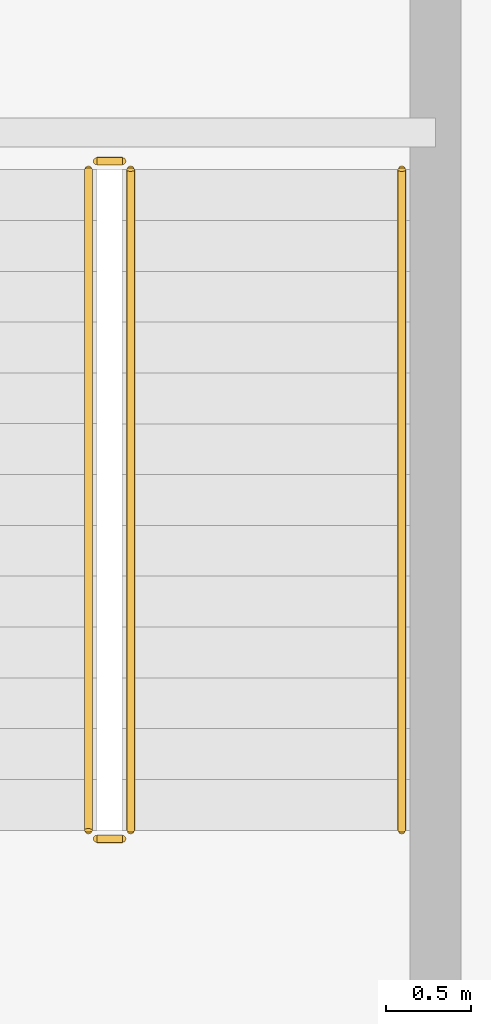
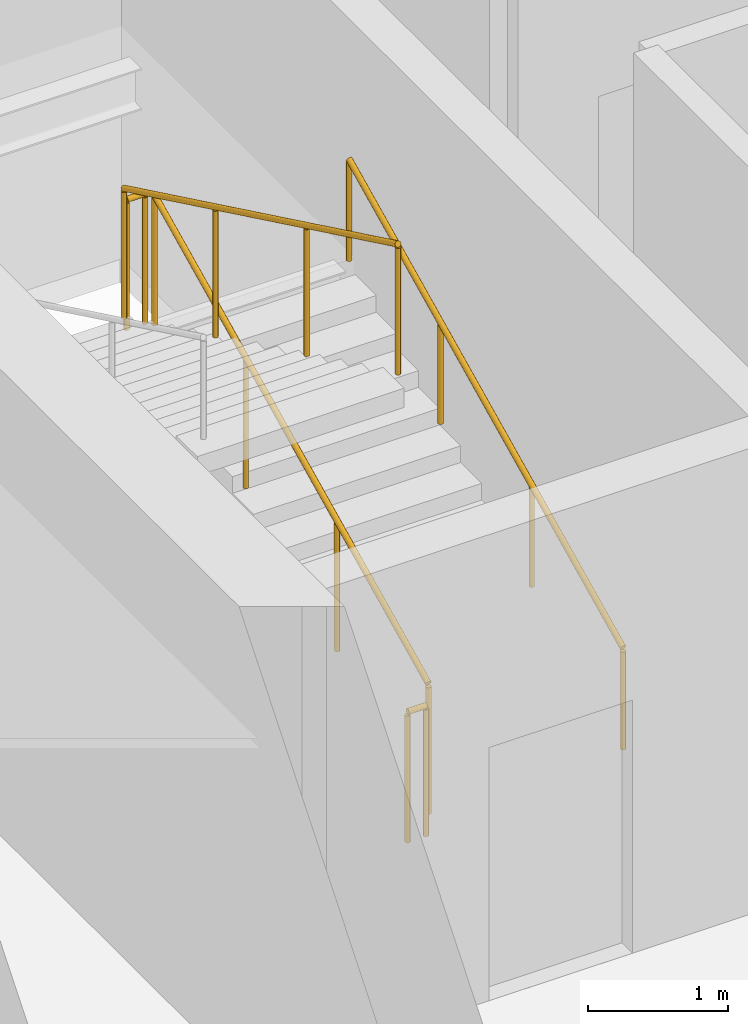
# One storey, part 33 of 36: 5 railings.
"""IFC4 building model written with IfcOpenShell, lengths in metres."""

from ifc_helpers import new_model, si_unit, direction, frame, origin, origin_2d, place, context, subcontext, project, spatial, circle, extrude, material, type_object, element, save


model = new_model("IFC4")

# Units and contexts
model_context = context("Model", 3, precision=1e-05, world=origin(), true_north=direction((0.0, 1.0)))
body_context = subcontext(model_context, "Body", "Model", "MODEL_VIEW")
ifc_project = project(units=[si_unit("LENGTHUNIT", "METRE"), si_unit("AREAUNIT", "SQUARE_METRE"), si_unit("VOLUMEUNIT", "CUBIC_METRE"), si_unit("PLANEANGLEUNIT", "RADIAN"), si_unit("MASSUNIT", "GRAM", prefix="KILO")], contexts=[model_context])

# Site, building, storey
site_placement = place(None, origin())
site = spatial("IfcSite", under=ifc_project, at=site_placement, CompositionType="ELEMENT")
building_placement = place(site_placement, origin())
building = spatial("IfcBuilding", under=site, at=building_placement, Name="Punatoya Terracotta Tower", CompositionType="ELEMENT")
storey_placement = place(building_placement, frame((0.0, 0.0, 196.5)))
storey = spatial("IfcBuildingStorey", under=building, at=storey_placement, Name="L46", CompositionType="ELEMENT", Elevation=196.5)

# Railings
ifc_material = material(Name="Steel S355", Category="steel")
railing_type_1 = type_object("IfcRailingType", Name="RLG-GRD-1150", PredefinedType="GUARDRAIL", material=ifc_material)
railing_1_placement = place(storey_placement, frame((-7.85009765625, -3.800048828125, 0.14453125)))
element("IfcRailing", 1, at=railing_1_placement, inside=storey, type_object=railing_type_1, Name="L46 ST-1 stair guard 1", PredefinedType="GUARDRAIL", context=body_context, shape_type="SweptSolid", body=[
    extrude(circle(Radius=0.02392578125, at=origin_2d()), frame((0.0, 0.0, 1.1259765625), z_axis=(0.0, 0.900773802044, 0.434288564841), x_axis=(-1.0, 0.0, 0.0)), (0.0, 0.0, 1.0), 4.329833984375),
    extrude(circle(Radius=0.02099609375, at=origin_2d()), origin(), (0.0, 0.0, 1.0), 1.101806640625),
    extrude(circle(Radius=0.02099609375, at=origin_2d()), frame((0.0, 1.300048828125, 0.626708984375)), (0.0, 0.0, 1.0), 1.101806640625),
    extrude(circle(Radius=0.02099609375, at=origin_2d()), frame((0.0, 2.60009765625, 1.253662109375)), (0.0, 0.0, 1.0), 1.101806640625),
    extrude(circle(Radius=0.02099609375, at=origin_2d()), frame((0.0, 3.900146484375, 1.88037109375)), (0.0, 0.0, 1.0), 1.101806640625),
])
railing_2_placement = place(storey_placement, frame((-7.89990234375, 0.14990234375, 2.02490234375)))
element("IfcRailing", 2, at=railing_2_placement, inside=storey, type_object=railing_type_1, Name="L46 ST-1 stair guard 2", PredefinedType="GUARDRAIL", context=body_context, shape_type="SweptSolid", body=[
    extrude(circle(Radius=0.02392578125, at=origin_2d()), frame((0.0, 0.0, 1.1259765625), z_axis=(-1.0, 0.0, 0.0), x_axis=(0.0, -1.0, 0.0)), (0.0, 0.0, 1.0), 0.150146484375),
    extrude(circle(Radius=0.02099609375, at=origin_2d()), origin(), (0.0, 0.0, 1.0), 1.101806640625),
    extrude(circle(Radius=0.02099609375, at=origin_2d()), frame((-0.150146484375, 0.0, 0.0)), (0.0, 0.0, 1.0), 1.101806640625),
])
railing_3_placement = place(storey_placement, frame((-8.10009765625, 0.10009765625, 2.169677734375)))
element("IfcRailing", 3, at=railing_3_placement, inside=storey, type_object=railing_type_1, Name="L46 ST-1 stair guard 3", PredefinedType="GUARDRAIL", context=body_context, shape_type="SweptSolid", body=[
    extrude(circle(Radius=0.02392578125, at=origin_2d()), frame((0.0, 0.0, 1.1259765625), z_axis=(0.0, -0.900773802044, 0.434288564841), x_axis=(1.0, 0.0, 0.0)), (0.0, 0.0, 1.0), 4.329833984375),
    extrude(circle(Radius=0.02099609375, at=origin_2d()), origin(), (0.0, 0.0, 1.0), 1.101806640625),
    extrude(circle(Radius=0.02099609375, at=origin_2d()), frame((0.0, -1.300048828125, 0.626708984375)), (0.0, 0.0, 1.0), 1.101806640625),
    extrude(circle(Radius=0.02099609375, at=origin_2d()), frame((0.0, -2.60009765625, 1.253662109375)), (0.0, 0.0, 1.0), 1.101806640625),
    extrude(circle(Radius=0.02099609375, at=origin_2d()), frame((0.0, -3.900146484375, 1.88037109375)), (0.0, 0.0, 1.0), 1.101806640625),
])
railing_4_placement = place(storey_placement, frame((-7.89990234375, -3.85009765625, 0.0)))
element("IfcRailing", 4, at=railing_4_placement, inside=storey, type_object=railing_type_1, Name="L46 ST-1 stair guard 4", PredefinedType="GUARDRAIL", context=body_context, shape_type="SweptSolid", body=[
    extrude(circle(Radius=0.02392578125, at=origin_2d()), frame((0.0, 0.0, 1.1259765625), z_axis=(-1.0, 0.0, 0.0), x_axis=(0.0, -1.0, 0.0)), (0.0, 0.0, 1.0), 0.150146484375),
    extrude(circle(Radius=0.02099609375, at=origin_2d()), origin(), (0.0, 0.0, 1.0), 1.101806640625),
    extrude(circle(Radius=0.02099609375, at=origin_2d()), frame((-0.150146484375, 0.0, 0.0)), (0.0, 0.0, 1.0), 1.101806640625),
])
railing_type_2 = type_object("IfcRailingType", Name="RLG-HND-900", PredefinedType="HANDRAIL", material=ifc_material)
railing_5_placement = place(storey_placement, frame((-6.25, -3.800048828125, 0.14453125)))
element("IfcRailing", 5, at=railing_5_placement, inside=storey, type_object=railing_type_2, Name="L46 ST-1 stair handrail 1", PredefinedType="HANDRAIL", context=body_context, shape_type="SweptSolid", body=[
    extrude(circle(Radius=0.02392578125, at=origin_2d()), frame((0.0, 0.0, 0.8759765625), z_axis=(0.0, 0.900773802044, 0.434288564841), x_axis=(-1.0, 0.0, 0.0)), (0.0, 0.0, 1.0), 4.329833984375),
    extrude(circle(Radius=0.02099609375, at=origin_2d()), origin(), (0.0, 0.0, 1.0), 0.851806640625),
    extrude(circle(Radius=0.02099609375, at=origin_2d()), frame((0.0, 1.300048828125, 0.626708984375)), (0.0, 0.0, 1.0), 0.851806640625),
    extrude(circle(Radius=0.02099609375, at=origin_2d()), frame((0.0, 2.60009765625, 1.253662109375)), (0.0, 0.0, 1.0), 0.851806640625),
    extrude(circle(Radius=0.02099609375, at=origin_2d()), frame((0.0, 3.900146484375, 1.88037109375)), (0.0, 0.0, 1.0), 0.851806640625),
])

save(model, "model.ifc")
